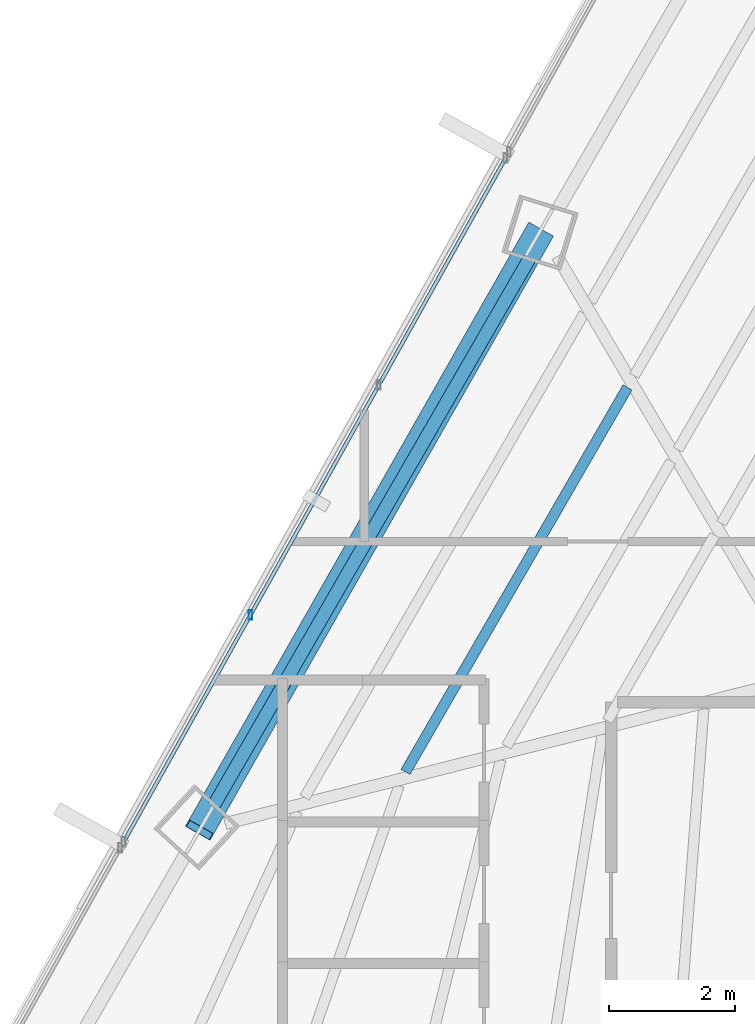
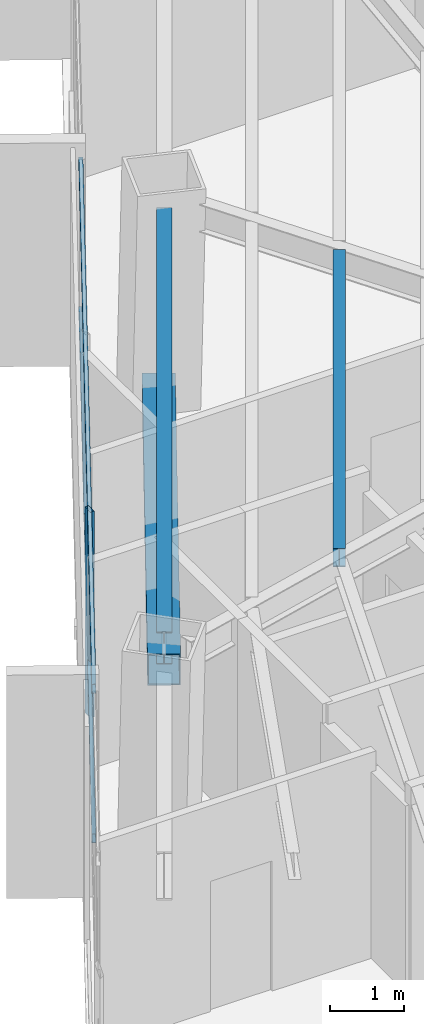
# One storey, part 14 of 38: 4 members, 2 beams, 1 element without a shape of its own.
"""IFC4 building model written with IfcOpenShell, lengths in metres."""

import ifcopenshell
import ifcopenshell.guid

model = None  # the IFC model being written
_history = None  # IfcOwnerHistory: only IFC2X3 demands one
_inside = {}  # id of a spatial element -> (the spatial element, [elements in it])
_under = {}  # id of a project, library or spatial element -> (it, [spatial elements below it])
_declared = {}  # id of a project -> (the project, [libraries it declares])
_typed = {}  # id of a type object -> (the type object, [elements of that type])
_made_of = {}  # id of a material, layer set ... -> (it, [elements and type objects made of it])


def new_model(schema):
    """Start an empty IFC model of exactly this schema.

    Asked for "IFC4X3", IfcOpenShell would pick the latest addendum, in which some entities
    have other attributes; the version numbers below select the first issue.
    IFC2X3 requires an IfcOwnerHistory on every rooted entity: one is made here for all.
    """
    global model, _history
    if schema == "IFC4X3":
        model = ifcopenshell.file(schema_version=(4, 3, 0, 0))
    else:
        model = ifcopenshell.file(schema=schema)
    _inside.clear()
    _under.clear()
    _declared.clear()
    _typed.clear()
    _made_of.clear()
    _history = None
    if model.schema == "IFC2X3":
        org = make("IfcOrganization", Name="unknown")
        user = make(
            "IfcPersonAndOrganization",
            ThePerson=make("IfcPerson", FamilyName="unknown"),
            TheOrganization=org,
        )
        app = make(
            "IfcApplication",
            ApplicationDeveloper=org,
            Version="unknown",
            ApplicationFullName="unknown",
            ApplicationIdentifier="unknown",
        )
        _history = make(
            "IfcOwnerHistory",
            OwningUser=user,
            OwningApplication=app,
            ChangeAction="ADDED",
            CreationDate=0,
        )
    return model


def make(cls, **values):
    """One entity of the class cls with the attributes given. An attribute that is None is left unset."""
    return model.create_entity(
        cls, **{name: value for name, value in values.items() if value is not None}
    )


def rooted(cls, **values):
    """An entity with a GlobalId (a new one), such as an element, a storey or a relation."""
    return make(cls, GlobalId=ifcopenshell.guid.new(), OwnerHistory=_history, **values)


def si_unit(unit_type, name, prefix=None):
    """IfcSIUnit, for example si_unit("LENGTHUNIT", "METRE", prefix="MILLI")."""
    return make("IfcSIUnit", UnitType=unit_type, Prefix=prefix, Name=name)


def assignment(units):
    """IfcUnitAssignment: the units of a project."""
    return None if units is None else make("IfcUnitAssignment", Units=units)


def point(xyz):
    """IfcCartesianPoint."""
    return None if xyz is None else make("IfcCartesianPoint", Coordinates=xyz)


def direction(xyz):
    """IfcDirection."""
    return None if xyz is None else make("IfcDirection", DirectionRatios=xyz)


def frame(location, z_axis=None, x_axis=None):
    """IfcAxis2Placement3D, a coordinate frame: its origin and axes. An axis left out is left unset."""
    return make(
        "IfcAxis2Placement3D",
        Location=point(location),
        Axis=direction(z_axis),
        RefDirection=direction(x_axis),
    )


def frame_2d(location, x_axis=None):
    """IfcAxis2Placement2D, a coordinate frame in the plane: its origin and x axis."""
    return make(
        "IfcAxis2Placement2D", Location=point(location), RefDirection=direction(x_axis)
    )


def origin():
    """The frame at (0, 0, 0) with its axes left unset."""
    return frame((0.0, 0.0, 0.0))


def origin_2d():
    """The frame at (0, 0) in the plane with its x axis left unset."""
    return frame_2d((0.0, 0.0))


def place(relative_to, where):
    """IfcLocalPlacement: puts the frame where relative to a parent placement (None: the world)."""
    return make(
        "IfcLocalPlacement", PlacementRelTo=relative_to, RelativePlacement=where
    )


def context(
    kind, dimensions, precision=None, world=None, true_north=None, identifier=None
):
    """IfcGeometricRepresentationContext, for example the 3D "Model" context."""
    return make(
        "IfcGeometricRepresentationContext",
        ContextIdentifier=identifier,
        ContextType=kind,
        CoordinateSpaceDimension=dimensions,
        Precision=precision,
        WorldCoordinateSystem=world,
        TrueNorth=true_north,
    )


def subcontext(parent, identifier, kind, view, scale=None):
    """IfcGeometricRepresentationSubContext, for example "Body" below "Model"."""
    return make(
        "IfcGeometricRepresentationSubContext",
        ContextIdentifier=identifier,
        ContextType=kind,
        ParentContext=parent,
        TargetScale=scale,
        TargetView=view,
    )


def project(units=None, contexts=None):
    """IfcProject with its units and contexts."""
    return rooted(
        "IfcProject",
        Name="project",
        RepresentationContexts=contexts,
        UnitsInContext=assignment(units),
    )


def spatial(cls, under=None, at=None, **own):
    """A site, building, storey or space (cls), placed at a placement, below another one or the project."""
    s = rooted(cls, ObjectPlacement=at, **own)
    if under is not None:
        _under.setdefault(under.id(), (under, []))[1].append(s)
    return s


def profile(cls, at=None, kind="AREA", **sizes):
    """A parametric profile (cls). Its sizes go by their IFC names, for example OverallWidth=200.0."""
    return make(cls, ProfileType=kind, Position=at, **sizes)


def hollow_rectangle(**sizes):
    """IfcRectangleHollowProfileDef."""
    return profile("IfcRectangleHollowProfileDef", **sizes)


def i_section(**sizes):
    """IfcIShapeProfileDef."""
    return profile("IfcIShapeProfileDef", **sizes)


def extrude(swept, where, along, depth):
    """IfcExtrudedAreaSolid: the profile swept, set in the frame where, extruded along a direction by depth."""
    return make(
        "IfcExtrudedAreaSolid",
        SweptArea=swept,
        Position=where,
        ExtrudedDirection=direction(along),
        Depth=depth,
    )


def shape(context_of_items, identifier, shape_type, items):
    """IfcShapeRepresentation: the items that make up one representation, for example the "Body"."""
    return make(
        "IfcShapeRepresentation",
        ContextOfItems=context_of_items,
        RepresentationIdentifier=identifier,
        RepresentationType=shape_type,
        Items=items,
    )


def source(mapping_origin, context_of_items, identifier, shape_type, items):
    """IfcRepresentationMap: a shape defined once, which mapped items show again and again."""
    return make(
        "IfcRepresentationMap",
        MappingOrigin=mapping_origin,
        MappedRepresentation=shape(context_of_items, identifier, shape_type, items),
    )


def transform(
    local_origin,
    x_axis=None,
    y_axis=None,
    z_axis=None,
    scale=None,
    scale2=None,
    scale3=None,
    uniform=True,
):
    """IfcCartesianTransformationOperator3D, or its non-uniform kind. x_axis, y_axis, z_axis: its Axis1, 2, 3."""
    if uniform:
        return make(
            "IfcCartesianTransformationOperator3D",
            Axis1=direction(x_axis),
            Axis2=direction(y_axis),
            LocalOrigin=point(local_origin),
            Scale=scale,
            Axis3=direction(z_axis),
        )
    return make(
        "IfcCartesianTransformationOperator3DnonUniform",
        Axis1=direction(x_axis),
        Axis2=direction(y_axis),
        LocalOrigin=point(local_origin),
        Scale=scale,
        Axis3=direction(z_axis),
        Scale2=scale2,
        Scale3=scale3,
    )


def mapped(mapping_source, mapping_target):
    """IfcMappedItem: shows the shape of a source again, moved by a transform."""
    return make(
        "IfcMappedItem", MappingSource=mapping_source, MappingTarget=mapping_target
    )


def material(Name=None, Category=None):
    """IfcMaterial."""
    return make("IfcMaterial", Name=Name, Category=Category)


def material_profile(
    of_material, cross_section, Name=None, Category=None, Priority=None
):
    """IfcMaterialProfile: a cross section and its material."""
    return make(
        "IfcMaterialProfile",
        Name=Name,
        Material=of_material,
        Profile=cross_section,
        Priority=Priority,
        Category=Category,
    )


def profile_set(profiles, Name=None, composite=None):
    """IfcMaterialProfileSet."""
    return make(
        "IfcMaterialProfileSet",
        Name=Name,
        MaterialProfiles=profiles,
        CompositeProfile=composite,
    )


def made_of(thing, what):
    """Note that an element or type object is made of a material, layer set ...; save() writes the relation."""
    if what is not None:
        _made_of.setdefault(what.id(), (what, []))[1].append(thing)
    return thing


def type_object(cls, material=None, **own):
    """A type object (cls), such as IfcWallType, which elements share."""
    return made_of(rooted(cls, **own), material)


def type_shapes(of_type, sources):
    """Give a type object the sources (RepresentationMaps) that its elements show as mapped items."""
    of_type.RepresentationMaps = sources


def element(
    cls,
    number,
    at=None,
    inside=None,
    cuts=None,
    type_object=None,
    material=None,
    context=None,
    identifier="Body",
    shape_type=None,
    held_by="IfcProductDefinitionShape",
    body=None,
    shapes=None,
    **own,
):
    """One element of the class cls, such as IfcWall. Its Tag is "e" and its number.

    at: its placement. inside: the storey or other place that contains it. cuts: it is an
    opening in that element (IfcRelVoidsElement). A single representation is given by context,
    identifier, shape_type and body (its items); several are given by shapes. held_by: the class
    of the entity that holds the representations. save() writes the other relations.
    """
    e = rooted(cls, Tag="e%d" % number, ObjectPlacement=at, **own)
    if body is not None:
        shapes = [shape(context, identifier, shape_type, body)]
    if shapes is not None:
        e.Representation = make(held_by, Representations=shapes)
    if inside is not None:
        _inside.setdefault(inside.id(), (inside, []))[1].append(e)
    if cuts is not None:
        rooted(
            "IfcRelVoidsElement", RelatingBuildingElement=cuts, RelatedOpeningElement=e
        )
    if type_object is not None:
        _typed.setdefault(type_object.id(), (type_object, []))[1].append(e)
    return made_of(e, material)


def aggregate(whole, parts):
    """IfcRelAggregates: a whole, such as a stair, and the parts it consists of."""
    return rooted("IfcRelAggregates", RelatingObject=whole, RelatedObjects=parts)


def save(model, path):
    """Write the relations noted so far, then the file.

    IfcRelAggregates (storeys below a building ...), IfcRelContainedInSpatialStructure (elements
    in a storey), IfcRelDefinesByType, IfcRelAssociatesMaterial and IfcRelDeclares: one each for
    every whole, place, type object, material and project.
    """
    for whole, parts in _under.values():
        aggregate(whole, parts)
    for where, things in _inside.values():
        rooted(
            "IfcRelContainedInSpatialStructure",
            RelatedElements=things,
            RelatingStructure=where,
        )
    for kind, things in _typed.values():
        rooted("IfcRelDefinesByType", RelatedObjects=things, RelatingType=kind)
    for what, things in _made_of.values():
        rooted("IfcRelAssociatesMaterial", RelatedObjects=things, RelatingMaterial=what)
    for by, libraries in _declared.values():
        rooted("IfcRelDeclares", RelatingContext=by, RelatedDefinitions=libraries)
    model.write(path)


model = new_model("IFC4")

# Units and contexts
model_context = context("Model", 3, precision=1e-05, world=origin(), true_north=direction((0.0, 1.0)))
body_context = subcontext(model_context, "Body", "Model", "MODEL_VIEW")
ifc_project = project(units=[si_unit("LENGTHUNIT", "METRE"), si_unit("AREAUNIT", "SQUARE_METRE"), si_unit("VOLUMEUNIT", "CUBIC_METRE"), si_unit("PLANEANGLEUNIT", "RADIAN"), si_unit("MASSUNIT", "GRAM", prefix="KILO")], contexts=[model_context])

# Site, building, storey
site_placement = place(None, origin())
site = spatial("IfcSite", under=ifc_project, at=site_placement, CompositionType="ELEMENT")
building_placement = place(site_placement, origin())
building = spatial("IfcBuilding", under=site, at=building_placement, Name="Caelisora Broadcast Tower", CompositionType="ELEMENT")
storey_placement = place(building_placement, frame((0.0, 0.0, 154.85009765625)))
storey = spatial("IfcBuildingStorey", under=building, at=storey_placement, Name="L40", CompositionType="ELEMENT", Elevation=154.85009765625)

# Beams
ifc_material_1 = material(Name="Steel Grade 350 (AS/NZS 3679.1)", Category="steel")
ifc_material_profile_1 = material_profile(ifc_material_1, i_section(OverallWidth=0.208984375, OverallDepth=0.532958984375, WebThickness=0.01025390625, FlangeThickness=0.015625, at=origin_2d()), Name="Steel Grade 350 (AS/NZS 3679.1)")
ifc_profile_set_1 = profile_set([ifc_material_profile_1], Name="Steel Grade 350 (AS/NZS 3679.1)")
beam_type_1 = type_object("IfcBeamType", Name="PG05", PredefinedType="BEAM", material=ifc_profile_set_1)
shared_shape_1 = source(origin(), body_context, "Body", "SweptSolid", [
    extrude(i_section(OverallWidth=0.208984375, OverallDepth=0.532958984375, WebThickness=0.01025390625, FlangeThickness=0.015625, at=origin_2d()), origin(), (0.0, 0.0, 1.0), 10.01025390625),
])
type_shapes(beam_type_1, [shared_shape_1])
beam_1_placement = place(storey_placement, frame((26.120361328125, 36.63818359375, 3.13330078125), z_axis=(-0.499997609114, -0.866026784159, 0.0), x_axis=(0.866026784159, -0.499997609114, 0.0)))
element("IfcBeam", 1, at=beam_1_placement, inside=storey, type_object=beam_type_1, Name="L40 beam PG05", PredefinedType="BEAM", context=body_context, shape_type="MappedRepresentation", body=[
    mapped(shared_shape_1, transform((0.0, 0.0, 0.0), scale=1.0)),
])
ifc_material_profile_2 = material_profile(ifc_material_1, i_section(OverallWidth=0.166015625, OverallDepth=0.30712890625, WebThickness=0.006591796875, FlangeThickness=0.01171875, at=origin_2d()), Name="Steel Grade 350 (AS/NZS 3679.1)")
ifc_profile_set_2 = profile_set([ifc_material_profile_2], Name="Steel Grade 350 (AS/NZS 3679.1)")
beam_type_2 = type_object("IfcBeamType", Name="SB03", PredefinedType="JOIST", material=ifc_profile_set_2)
shared_shape_2 = source(origin(), body_context, "Body", "SweptSolid", [
    extrude(i_section(OverallWidth=0.166015625, OverallDepth=0.30712890625, WebThickness=0.006591796875, FlangeThickness=0.01171875, at=origin_2d()), origin(), (0.0, 0.0, 1.0), 7.050048828125),
])
type_shapes(beam_type_2, [shared_shape_2])
beam_2_placement = place(storey_placement, frame((27.68017578125, 34.5986328125, 3.246337890625), z_axis=(-0.499990246421, -0.866031034943, 0.0), x_axis=(0.866031034943, -0.499990246421, 0.0)))
element("IfcBeam", 2, at=beam_2_placement, inside=storey, type_object=beam_type_2, Name="L40 beam SB03", PredefinedType="JOIST", context=body_context, shape_type="MappedRepresentation", body=[
    mapped(shared_shape_2, transform((0.0, 0.0, 0.0), scale=1.0)),
])

# Member
ifc_material_2 = material(Name="Steel Grade 450 (AS/NZS 1163 C450L0)", Category="steel")
ifc_material_profile_3 = material_profile(ifc_material_2, hollow_rectangle(XDim=0.449951171875, YDim=0.449951171875, WallThickness=0.01611328125, at=origin_2d()), Name="Steel Grade 450 (AS/NZS 1163 C450L0)")
ifc_profile_set_3 = profile_set([ifc_material_profile_3], Name="Steel Grade 450 (AS/NZS 1163 C450L0)")
member_type_1 = type_object("IfcMemberType", Name="BR03", PredefinedType="BRACE", material=ifc_profile_set_3)
shared_shape_3 = source(origin(), body_context, "Body", "SweptSolid", [
    extrude(hollow_rectangle(XDim=0.449951171875, YDim=0.449951171875, WallThickness=0.01611328125, at=origin_2d()), origin(), (0.0, 0.0, 1.0), 11.31884765625),
])
type_shapes(member_type_1, [shared_shape_3])
member_1_placement = place(storey_placement, frame((26.279541015625, 37.05859375, 0.099853515625), z_axis=(-0.476575203841, -0.838228810666, 0.265044403928), x_axis=(0.869318953286, -0.494251512348, 0.0)))
element("IfcMember", 3, at=member_1_placement, inside=storey, type_object=member_type_1, Name="L40 perimeter brace BR03", PredefinedType="BRACE", context=body_context, shape_type="MappedRepresentation", body=[
    mapped(shared_shape_3, transform((0.0, 0.0, 0.0), scale=1.0)),
])

# Curtain wall, members
ifc_material_3 = material(Name="Unitised Aluminium Insulated Shadow-Box Spandrel Curtain Wall", Category="aluminium")
curtain_wall_type = type_object("IfcCurtainWallType", Name="CW-SP2", PredefinedType="NOTDEFINED", material=ifc_material_3)
curtain_wall_placement = place(storey_placement, origin())
curtain_wall = element("IfcCurtainWall", 4, at=curtain_wall_placement, inside=storey, type_object=curtain_wall_type, Name="L40 curtain wall CW-SP2", PredefinedType="NOTDEFINED")
ifc_material_4 = material(Name="Aluminium 6063-T6 Anodised Terracotta Bronze", Category="aluminium")
ifc_material_profile_4 = material_profile(ifc_material_4, hollow_rectangle(XDim=0.06005859375, YDim=0.14990234375, WallThickness=0.00341796875, at=origin_2d()), Name="Aluminium 6063-T6 Anodised Terracotta Bronze")
ifc_profile_set_4 = profile_set([ifc_material_profile_4], Name="Aluminium 6063-T6 Anodised Terracotta Bronze")
member_type_2 = type_object("IfcMemberType", Name="CWM-03", PredefinedType="MULLION", material=ifc_profile_set_4)
shared_shape_4 = source(origin(), body_context, "Body", "SweptSolid", [
    extrude(hollow_rectangle(XDim=0.06005859375, YDim=0.14990234375, WallThickness=0.00341796875, at=origin_2d()), origin(), (0.0, 0.0, 1.0), 3.39990234375),
])
type_shapes(member_type_2, [shared_shape_4])
member_2_placement = place(storey_placement, frame((21.693603515625, 30.986328125, 0.0), z_axis=(0.0, 0.0, 1.0), x_axis=(1.0, 0.0, 0.0)))
member_2 = element("IfcMember", 5, at=member_2_placement, type_object=member_type_2, Name="L40-CW-B10 mullion #1", PredefinedType="MULLION", context=body_context, shape_type="MappedRepresentation", body=[
    mapped(shared_shape_4, transform((0.0, 0.0, 0.0), scale=1.0)),
])
ifc_material_profile_5 = material_profile(ifc_material_4, hollow_rectangle(XDim=0.06005859375, YDim=0.14990234375, WallThickness=0.00341796875, at=origin_2d()), Name="Aluminium 6063-T6 Anodised Terracotta Bronze")
ifc_profile_set_5 = profile_set([ifc_material_profile_5], Name="Aluminium 6063-T6 Anodised Terracotta Bronze")
member_type_3 = type_object("IfcMemberType", Name="CWT-02", PredefinedType="USERDEFINED", material=ifc_profile_set_5)
shared_shape_5 = source(origin(), body_context, "Body", "SweptSolid", [
    extrude(hollow_rectangle(XDim=0.06005859375, YDim=0.14990234375, WallThickness=0.00341796875, at=origin_2d()), origin(), (0.0, 0.0, 1.0), 12.436279296875),
])
type_shapes(member_type_3, [shared_shape_5])
member_3_placement = place(storey_placement, frame((19.680419921875, 27.381591796875, 0.849853515625), z_axis=(0.487641831475, 0.873043781374, 0.0), x_axis=(-0.873043781374, 0.487641831475, 0.0)))
member_3 = element("IfcMember", 6, at=member_3_placement, type_object=member_type_3, Name="L40-CW-B10 transom #1", ObjectType="TRANSOM", PredefinedType="USERDEFINED", context=body_context, shape_type="MappedRepresentation", body=[
    mapped(shared_shape_5, transform((0.0, 0.0, 0.0), scale=1.0)),
])
member_4_placement = place(storey_placement, frame((19.680419921875, 27.381591796875, 3.31982421875), z_axis=(0.487641831475, 0.873043781374, 0.0), x_axis=(-0.873043781374, 0.487641831475, 0.0)))
member_4 = element("IfcMember", 7, at=member_4_placement, type_object=member_type_3, Name="L40-CW-B10 transom #2", ObjectType="TRANSOM", PredefinedType="USERDEFINED", context=body_context, shape_type="MappedRepresentation", body=[
    mapped(shared_shape_5, transform((0.0, 0.0, 0.0), scale=1.0)),
])
aggregate(curtain_wall, [member_2, member_3, member_4])

save(model, "model.ifc")
